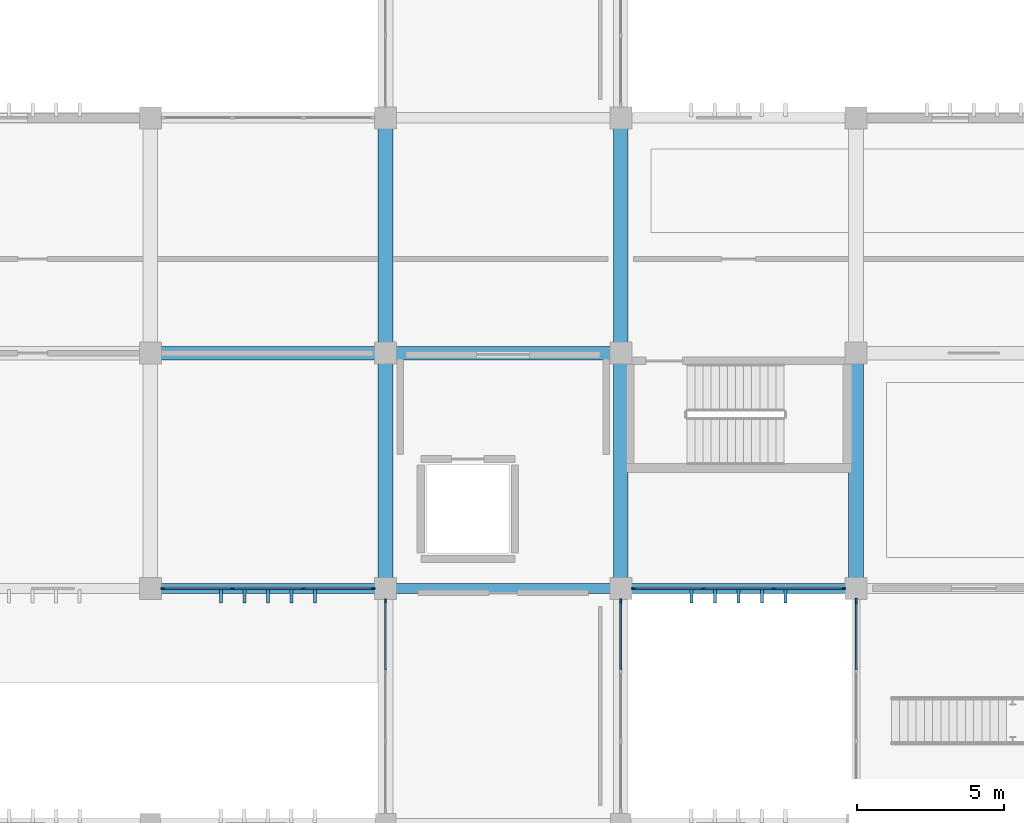
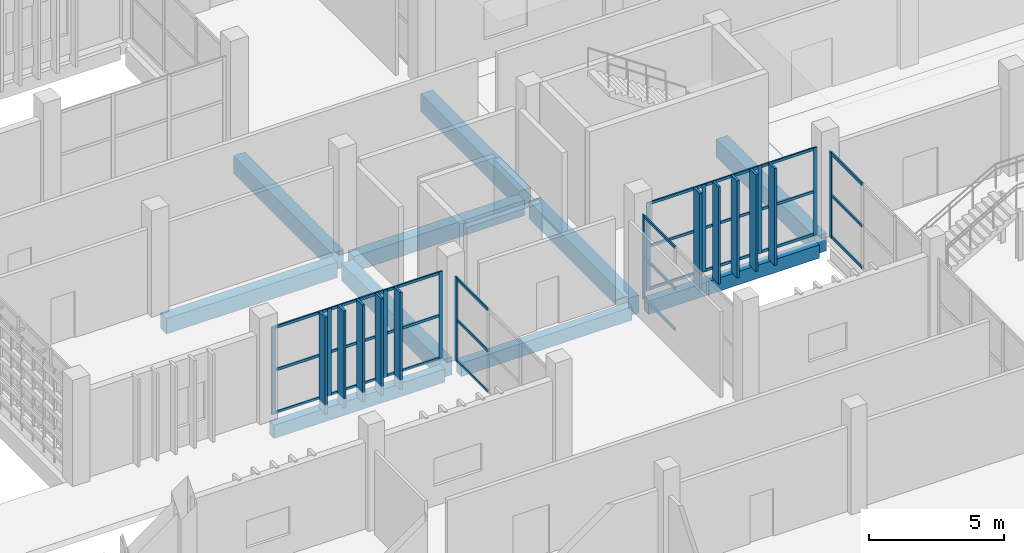
# One storey, part 62 of 117: 48 members, 10 beams, 5 elements without a shape of their own.
"""IFC4 building model written with IfcOpenShell, lengths in metres."""

from ifc_helpers import new_model, si_unit, direction, frame, origin, origin_2d, place, context, subcontext, project, spatial, rectangle, extrude, material, layer, layer_set, material_profile, profile_set, type_object, element, aggregate, save


model = new_model("IFC4")

# Units and contexts
model_context = context("Model", 3, precision=1e-05, world=origin(), true_north=direction((0.0, 1.0)))
body_context = subcontext(model_context, "Body", "Model", "MODEL_VIEW")
ifc_project = project(units=[si_unit("LENGTHUNIT", "METRE"), si_unit("AREAUNIT", "SQUARE_METRE"), si_unit("VOLUMEUNIT", "CUBIC_METRE"), si_unit("PLANEANGLEUNIT", "RADIAN"), si_unit("MASSUNIT", "GRAM", prefix="KILO")], contexts=[model_context])

# Site, building, storey
site_placement = place(None, origin())
site = spatial("IfcSite", under=ifc_project, at=site_placement, CompositionType="ELEMENT")
building_placement = place(site_placement, origin())
building = spatial("IfcBuilding", under=site, at=building_placement, Name="Jelvoka-Kovrelna Polytechnic", CompositionType="ELEMENT")
storey_placement = place(building_placement, origin())
storey = spatial("IfcBuildingStorey", under=building, at=storey_placement, Name="L01", CompositionType="ELEMENT", Elevation=0.0)

# Beams
ifc_material_1 = material(Name="Concrete C40/50", Category="concrete")
ifc_material_profile_1 = material_profile(ifc_material_1, rectangle(XDim=0.449951171875, YDim=0.699951171875, at=origin_2d()), Name="RC 450x700")
ifc_profile_set_1 = profile_set([ifc_material_profile_1], Name="Concrete C40/50")
beam_type_1 = type_object("IfcBeamType", Name="Beam_RC_450x700", PredefinedType="BEAM", material=ifc_profile_set_1)
for number, where, z_axis, x_axis, name in (
    (1, (136.35498046875, 40.0, -0.7548828125), (1.0, 0.0, 0.0), (0.0, 1.0, 0.0), "L01 beam 0407"),
    (2, (144.35498046875, 40.0, -0.7548828125), (1.0, 0.0, 0.0), (0.0, 1.0, 0.0), "L01 beam 0408"),
):
    element("IfcBeam", number, at=place(storey_placement, frame(where, z_axis=z_axis, x_axis=x_axis)), inside=storey, type_object=beam_type_1, Name=name, PredefinedType="BEAM", context=body_context, shape_type="SweptSolid", body=[
        extrude(rectangle(XDim=0.449951171875, YDim=0.699951171875, at=origin_2d()), origin(), (0.0, 0.0, 1.0), 7.2900390625),
    ])
ifc_material_2 = material(Name="Concrete C40/50", Category="concrete")
ifc_material_profile_2 = material_profile(ifc_material_2, rectangle(XDim=0.5, YDim=0.800048828125, at=origin_2d()), Name="RC 500x800")
ifc_profile_set_2 = profile_set([ifc_material_profile_2], Name="Concrete C40/50")
beam_type_2 = type_object("IfcBeamType", Name="Beam_RC_500x800", PredefinedType="BEAM", material=ifc_profile_set_2)
for number, where, z_axis, x_axis, name in (
    (3, (144.0, 32.35498046875, -0.804931640625), (0.0, 1.0, 0.0), (-1.0, 0.0, 0.0), "L01 beam 0427"),
    (4, (144.0, 40.35498046875, -0.804931640625), (0.0, 1.0, 0.0), (-1.0, 0.0, 0.0), "L01 beam 0428"),
    (5, (152.0, 32.35498046875, -0.804931640625), (0.0, 1.0, 0.0), (-1.0, 0.0, 0.0), "L01 beam 0429"),
    (6, (152.0, 40.35498046875, -0.804931640625), (0.0, 1.0, 0.0), (-1.0, 0.0, 0.0), "L01 beam 0430"),
    (7, (160.0, 32.35498046875, -0.804931640625), (0.0, 1.0, 0.0), (-1.0, 0.0, 0.0), "L01 beam 0431"),
):
    element("IfcBeam", number, at=place(storey_placement, frame(where, z_axis=z_axis, x_axis=x_axis)), inside=storey, type_object=beam_type_2, Name=name, PredefinedType="BEAM", context=body_context, shape_type="SweptSolid", body=[
        extrude(rectangle(XDim=0.5, YDim=0.800048828125, at=origin_2d()), origin(), (0.0, 0.0, 1.0), 7.2900390625),
    ])

# Members
ifc_material_3 = material(Name="Precast concrete C40/50", Category="concrete")
ifc_material_profile_3 = material_profile(ifc_material_3, rectangle(XDim=0.10009765625, YDim=0.449951171875, at=origin_2d()), Name="PC 100x450")
ifc_profile_set_3 = profile_set([ifc_material_profile_3], Name="Precast concrete C40/50")
member_type_1 = type_object("IfcMemberType", Name="Louvre_Fin_100x450", PredefinedType="USERDEFINED", material=ifc_profile_set_3)
for number, where, z_axis, x_axis, name in (
    (8, (138.39990234375, 31.735107421875, -0.419921875), (0.0, 0.0, 1.0), (1.0, 0.0, 0.0), "L01 B2E south vertical solar louvre fin 0876"),
    (9, (139.199951171875, 31.735107421875, -0.419921875), (0.0, 0.0, 1.0), (1.0, 0.0, 0.0), "L01 B2E south vertical solar louvre fin 0877"),
    (10, (140.0, 31.735107421875, -0.419921875), (0.0, 0.0, 1.0), (1.0, 0.0, 0.0), "L01 B2E south vertical solar louvre fin 0878"),
    (11, (140.800048828125, 31.735107421875, -0.419921875), (0.0, 0.0, 1.0), (1.0, 0.0, 0.0), "L01 B2E south vertical solar louvre fin 0879"),
    (12, (141.60009765625, 31.735107421875, -0.419921875), (0.0, 0.0, 1.0), (1.0, 0.0, 0.0), "L01 B2E south vertical solar louvre fin 0880"),
    (13, (154.39990234375, 31.735107421875, -0.419921875), (0.0, 0.0, 1.0), (1.0, 0.0, 0.0), "L01 B2E south vertical solar louvre fin 0881"),
    (14, (155.199951171875, 31.735107421875, -0.419921875), (0.0, 0.0, 1.0), (1.0, 0.0, 0.0), "L01 B2E south vertical solar louvre fin 0882"),
    (15, (156.0, 31.735107421875, -0.419921875), (0.0, 0.0, 1.0), (1.0, 0.0, 0.0), "L01 B2E south vertical solar louvre fin 0883"),
    (16, (156.800048828125, 31.735107421875, -0.419921875), (0.0, 0.0, 1.0), (1.0, 0.0, 0.0), "L01 B2E south vertical solar louvre fin 0884"),
    (17, (157.60009765625, 31.735107421875, -0.419921875), (0.0, 0.0, 1.0), (1.0, 0.0, 0.0), "L01 B2E south vertical solar louvre fin 0885"),
):
    element("IfcMember", number, at=place(storey_placement, frame(where, z_axis=z_axis, x_axis=x_axis)), inside=storey, type_object=member_type_1, Name=name, ObjectType="SUNSHADE", PredefinedType="USERDEFINED", context=body_context, shape_type="SweptSolid", body=[
        extrude(rectangle(XDim=0.10009765625, YDim=0.449951171875, at=origin_2d()), origin(), (0.0, 0.0, 1.0), 4.3798828125),
    ])

# Curtain wall, members
ifc_material_4 = material(Name="Anodised aluminium 6063-T6", Category="aluminium")
ifc_layer_1 = layer(ifc_material_4, 0.159912109375)
ifc_layer_set_1 = layer_set([ifc_layer_1], Name="Anodised aluminium 6063-T6")
curtain_wall_type_1 = type_object("IfcCurtainWallType", Name="CW_Recessed_A", PredefinedType="NOTDEFINED", material=ifc_layer_set_1)
curtain_wall_1_placement = place(storey_placement, origin())
curtain_wall_1 = element("IfcCurtainWall", 18, at=curtain_wall_1_placement, inside=storey, type_object=curtain_wall_type_1, Name="L01 glazed curtain wall 038", PredefinedType="NOTDEFINED")
ifc_material_5 = material(Name="Anodised aluminium 6063-T6", Category="aluminium")
ifc_material_profile_4 = material_profile(ifc_material_5, rectangle(XDim=0.06005859375, YDim=0.159912109375, at=origin_2d()), Name="ALU 60x160")
ifc_profile_set_4 = profile_set([ifc_material_profile_4], Name="Anodised aluminium 6063-T6")
member_type_2 = type_object("IfcMemberType", Name="Mullion_M-01", PredefinedType="MULLION", material=ifc_profile_set_4)
member_1_placement = place(storey_placement, frame((143.570068359375, 32.0, -0.02490234375), z_axis=(0.0, 0.0, 1.0), x_axis=(0.0, -1.0, 0.0)))
member_1 = element("IfcMember", 19, at=member_1_placement, type_object=member_type_2, Name="CW-01 mullion 1", PredefinedType="MULLION", context=body_context, shape_type="SweptSolid", body=[
    extrude(rectangle(XDim=0.06005859375, YDim=0.159912109375, at=origin_2d()), origin(), (0.0, 0.0, 1.0), 3.9599609375),
])
member_2_placement = place(storey_placement, frame((141.199951171875, 32.0, -0.02490234375), z_axis=(0.0, 0.0, 1.0), x_axis=(0.0, -1.0, 0.0)))
member_2 = element("IfcMember", 20, at=member_2_placement, type_object=member_type_2, Name="CW-01 mullion 2", PredefinedType="MULLION", context=body_context, shape_type="SweptSolid", body=[
    extrude(rectangle(XDim=0.06005859375, YDim=0.159912109375, at=origin_2d()), origin(), (0.0, 0.0, 1.0), 3.9599609375),
])
member_3_placement = place(storey_placement, frame((138.800048828125, 32.0, -0.02490234375), z_axis=(0.0, 0.0, 1.0), x_axis=(0.0, -1.0, 0.0)))
member_3 = element("IfcMember", 21, at=member_3_placement, type_object=member_type_2, Name="CW-01 mullion 3", PredefinedType="MULLION", context=body_context, shape_type="SweptSolid", body=[
    extrude(rectangle(XDim=0.06005859375, YDim=0.159912109375, at=origin_2d()), origin(), (0.0, 0.0, 1.0), 3.9599609375),
])
member_4_placement = place(storey_placement, frame((136.429931640625, 32.0, -0.02490234375), z_axis=(0.0, 0.0, 1.0), x_axis=(0.0, -1.0, 0.0)))
member_4 = element("IfcMember", 22, at=member_4_placement, type_object=member_type_2, Name="CW-01 mullion 4", PredefinedType="MULLION", context=body_context, shape_type="SweptSolid", body=[
    extrude(rectangle(XDim=0.06005859375, YDim=0.159912109375, at=origin_2d()), origin(), (0.0, 0.0, 1.0), 3.9599609375),
])

curtain_wall_2_placement = place(storey_placement, origin())
curtain_wall_2 = element("IfcCurtainWall", 23, at=curtain_wall_2_placement, inside=storey, type_object=curtain_wall_type_1, Name="L01 glazed curtain wall 040", PredefinedType="NOTDEFINED")
member_5_placement = place(storey_placement, frame((159.570068359375, 32.0, -0.02490234375), z_axis=(0.0, 0.0, 1.0), x_axis=(0.0, -1.0, 0.0)))
member_5 = element("IfcMember", 24, at=member_5_placement, type_object=member_type_2, Name="CW-01 mullion 1", PredefinedType="MULLION", context=body_context, shape_type="SweptSolid", body=[
    extrude(rectangle(XDim=0.06005859375, YDim=0.159912109375, at=origin_2d()), origin(), (0.0, 0.0, 1.0), 3.9599609375),
])
member_6_placement = place(storey_placement, frame((157.199951171875, 32.0, -0.02490234375), z_axis=(0.0, 0.0, 1.0), x_axis=(0.0, -1.0, 0.0)))
member_6 = element("IfcMember", 25, at=member_6_placement, type_object=member_type_2, Name="CW-01 mullion 2", PredefinedType="MULLION", context=body_context, shape_type="SweptSolid", body=[
    extrude(rectangle(XDim=0.06005859375, YDim=0.159912109375, at=origin_2d()), origin(), (0.0, 0.0, 1.0), 3.9599609375),
])
member_7_placement = place(storey_placement, frame((154.800048828125, 32.0, -0.02490234375), z_axis=(0.0, 0.0, 1.0), x_axis=(0.0, -1.0, 0.0)))
member_7 = element("IfcMember", 26, at=member_7_placement, type_object=member_type_2, Name="CW-01 mullion 3", PredefinedType="MULLION", context=body_context, shape_type="SweptSolid", body=[
    extrude(rectangle(XDim=0.06005859375, YDim=0.159912109375, at=origin_2d()), origin(), (0.0, 0.0, 1.0), 3.9599609375),
])
member_8_placement = place(storey_placement, frame((152.429931640625, 32.0, -0.02490234375), z_axis=(0.0, 0.0, 1.0), x_axis=(0.0, -1.0, 0.0)))
member_8 = element("IfcMember", 27, at=member_8_placement, type_object=member_type_2, Name="CW-01 mullion 4", PredefinedType="MULLION", context=body_context, shape_type="SweptSolid", body=[
    extrude(rectangle(XDim=0.06005859375, YDim=0.159912109375, at=origin_2d()), origin(), (0.0, 0.0, 1.0), 3.9599609375),
])

# Curtain wall, member
ifc_material_6 = material(Name="Anodised aluminium 6063-T6", Category="aluminium")
ifc_layer_2 = layer(ifc_material_6, 0.159912109375)
ifc_layer_set_2 = layer_set([ifc_layer_2], Name="Anodised aluminium 6063-T6")
curtain_wall_type_2 = type_object("IfcCurtainWallType", Name="CW_LinkBridge", PredefinedType="NOTDEFINED", material=ifc_layer_set_2)
curtain_wall_3_placement = place(storey_placement, origin())
curtain_wall_3 = element("IfcCurtainWall", 28, at=curtain_wall_3_placement, inside=storey, type_object=curtain_wall_type_2, Name="L01 glazed curtain wall 106", PredefinedType="NOTDEFINED")
ifc_material_7 = material(Name="Anodised aluminium 6063-T6", Category="aluminium")
ifc_material_profile_5 = material_profile(ifc_material_7, rectangle(XDim=0.06005859375, YDim=0.159912109375, at=origin_2d()), Name="ALU 60x160")
ifc_profile_set_5 = profile_set([ifc_material_profile_5], Name="Anodised aluminium 6063-T6")
member_type_3 = type_object("IfcMemberType", Name="Mullion_M-04", PredefinedType="MULLION", material=ifc_profile_set_5)
member_9_placement = place(storey_placement, frame((144.0, 31.570068359375, -0.02490234375), z_axis=(0.0, 0.0, 1.0), x_axis=(-1.0, 0.0, 0.0)))
member_9 = element("IfcMember", 29, at=member_9_placement, type_object=member_type_3, Name="CW-04 mullion 4", PredefinedType="MULLION", context=body_context, shape_type="SweptSolid", body=[
    extrude(rectangle(XDim=0.06005859375, YDim=0.159912109375, at=origin_2d()), origin(), (0.0, 0.0, 1.0), 3.81005859375),
])

curtain_wall_4_placement = place(storey_placement, origin())
curtain_wall_4 = element("IfcCurtainWall", 30, at=curtain_wall_4_placement, inside=storey, type_object=curtain_wall_type_2, Name="L01 glazed curtain wall 107", PredefinedType="NOTDEFINED")
member_10_placement = place(storey_placement, frame((152.0, 31.570068359375, -0.02490234375), z_axis=(0.0, 0.0, 1.0), x_axis=(1.0, 0.0, 0.0)))
member_10 = element("IfcMember", 31, at=member_10_placement, type_object=member_type_3, Name="CW-04 mullion 1", PredefinedType="MULLION", context=body_context, shape_type="SweptSolid", body=[
    extrude(rectangle(XDim=0.06005859375, YDim=0.159912109375, at=origin_2d()), origin(), (0.0, 0.0, 1.0), 3.81005859375),
])

ifc_material_8 = material(Name="Anodised aluminium 6063-T6", Category="aluminium")
ifc_layer_3 = layer(ifc_material_8, 0.179931640625)
ifc_layer_set_3 = layer_set([ifc_layer_3], Name="Anodised aluminium 6063-T6")
curtain_wall_type_3 = type_object("IfcCurtainWallType", Name="CW_Pavilion", PredefinedType="NOTDEFINED", material=ifc_layer_set_3)
curtain_wall_5_placement = place(storey_placement, origin())
curtain_wall_5 = element("IfcCurtainWall", 32, at=curtain_wall_5_placement, inside=storey, type_object=curtain_wall_type_3, Name="L01 glazed curtain wall 274", PredefinedType="NOTDEFINED")
ifc_material_9 = material(Name="Anodised aluminium 6063-T6", Category="aluminium")
ifc_material_profile_6 = material_profile(ifc_material_9, rectangle(XDim=0.06494140625, YDim=0.179931640625, at=origin_2d()), Name="ALU 65x180")
ifc_profile_set_6 = profile_set([ifc_material_profile_6], Name="Anodised aluminium 6063-T6")
member_type_4 = type_object("IfcMemberType", Name="Mullion_M-05", PredefinedType="MULLION", material=ifc_profile_set_6)
member_11_placement = place(storey_placement, frame((160.0, 31.5673828125, -0.02490234375), z_axis=(0.0, 0.0, 1.0), x_axis=(-1.0, 0.0, 0.0)))
member_11 = element("IfcMember", 33, at=member_11_placement, type_object=member_type_4, Name="CW-05 mullion 4", PredefinedType="MULLION", context=body_context, shape_type="SweptSolid", body=[
    extrude(rectangle(XDim=0.06494140625, YDim=0.179931640625, at=origin_2d()), origin(), (0.0, 0.0, 1.0), 3.862060546875),
])

# Beams
ifc_material_10 = material(Name="Concrete C40/50", Category="concrete")
ifc_material_profile_7 = material_profile(ifc_material_10, rectangle(XDim=0.35009765625, YDim=0.60009765625, at=origin_2d()), Name="RC 350x600")
ifc_profile_set_7 = profile_set([ifc_material_profile_7], Name="Concrete C40/50")
beam_type_3 = type_object("IfcBeamType", Name="Spandrel_RC_350x600", PredefinedType="SPANDREL", material=ifc_profile_set_7)
for number, where, z_axis, x_axis, name in (
    (34, (136.35498046875, 32.0, -0.705078125), (1.0, 0.0, 0.0), (0.0, 1.0, 0.0), "L01 beam 0403"),
    (35, (144.35498046875, 32.0, -0.705078125), (1.0, 0.0, 0.0), (0.0, 1.0, 0.0), "L01 beam 0404"),
    (36, (152.35498046875, 32.0, -0.705078125), (1.0, 0.0, 0.0), (0.0, 1.0, 0.0), "L01 beam 0405"),
):
    element("IfcBeam", number, at=place(storey_placement, frame(where, z_axis=z_axis, x_axis=x_axis)), inside=storey, type_object=beam_type_3, Name=name, PredefinedType="SPANDREL", context=body_context, shape_type="SweptSolid", body=[
        extrude(rectangle(XDim=0.35009765625, YDim=0.60009765625, at=origin_2d()), origin(), (0.0, 0.0, 1.0), 7.2900390625),
    ])

# Member
ifc_material_11 = material(Name="Anodised aluminium 6063-T6", Category="aluminium")
ifc_material_profile_8 = material_profile(ifc_material_11, rectangle(XDim=0.06005859375, YDim=0.1201171875, at=origin_2d()), Name="ALU 60x120")
ifc_profile_set_8 = profile_set([ifc_material_profile_8], Name="Anodised aluminium 6063-T6")
member_type_5 = type_object("IfcMemberType", Name="Transom_T-01", PredefinedType="USERDEFINED", material=ifc_profile_set_8)
member_12_placement = place(storey_placement, frame((143.5400390625, 32.0, 0.030029296875), z_axis=(-1.0, 0.0, 0.0), x_axis=(0.0, -1.0, 0.0)))
member_12 = element("IfcMember", 37, at=member_12_placement, type_object=member_type_5, Name="CW-01 transom 1.1", ObjectType="TRANSOM", PredefinedType="USERDEFINED", context=body_context, shape_type="SweptSolid", body=[
    extrude(rectangle(XDim=0.06005859375, YDim=0.1201171875, at=origin_2d()), origin(), (0.0, 0.0, 1.0), 2.31005859375),
])

member_13_placement = place(storey_placement, frame((143.5400390625, 32.0, 1.955078125), z_axis=(-1.0, 0.0, 0.0), x_axis=(0.0, -1.0, 0.0)))
member_13 = element("IfcMember", 38, at=member_13_placement, type_object=member_type_5, Name="CW-01 transom 1.2", ObjectType="TRANSOM", PredefinedType="USERDEFINED", context=body_context, shape_type="SweptSolid", body=[
    extrude(rectangle(XDim=0.06005859375, YDim=0.1201171875, at=origin_2d()), origin(), (0.0, 0.0, 1.0), 2.31005859375),
])

member_14_placement = place(storey_placement, frame((143.5400390625, 32.0, 3.8798828125), z_axis=(-1.0, 0.0, 0.0), x_axis=(0.0, -1.0, 0.0)))
member_14 = element("IfcMember", 39, at=member_14_placement, type_object=member_type_5, Name="CW-01 transom 1.3", ObjectType="TRANSOM", PredefinedType="USERDEFINED", context=body_context, shape_type="SweptSolid", body=[
    extrude(rectangle(XDim=0.06005859375, YDim=0.1201171875, at=origin_2d()), origin(), (0.0, 0.0, 1.0), 2.31005859375),
])

member_15_placement = place(storey_placement, frame((141.169921875, 32.0, 0.030029296875), z_axis=(-1.0, 0.0, 0.0), x_axis=(0.0, -1.0, 0.0)))
member_15 = element("IfcMember", 40, at=member_15_placement, type_object=member_type_5, Name="CW-01 transom 2.1", ObjectType="TRANSOM", PredefinedType="USERDEFINED", context=body_context, shape_type="SweptSolid", body=[
    extrude(rectangle(XDim=0.06005859375, YDim=0.1201171875, at=origin_2d()), origin(), (0.0, 0.0, 1.0), 2.33984375),
])

member_16_placement = place(storey_placement, frame((141.169921875, 32.0, 1.955078125), z_axis=(-1.0, 0.0, 0.0), x_axis=(0.0, -1.0, 0.0)))
member_16 = element("IfcMember", 41, at=member_16_placement, type_object=member_type_5, Name="CW-01 transom 2.2", ObjectType="TRANSOM", PredefinedType="USERDEFINED", context=body_context, shape_type="SweptSolid", body=[
    extrude(rectangle(XDim=0.06005859375, YDim=0.1201171875, at=origin_2d()), origin(), (0.0, 0.0, 1.0), 2.33984375),
])

member_17_placement = place(storey_placement, frame((141.169921875, 32.0, 3.8798828125), z_axis=(-1.0, 0.0, 0.0), x_axis=(0.0, -1.0, 0.0)))
member_17 = element("IfcMember", 42, at=member_17_placement, type_object=member_type_5, Name="CW-01 transom 2.3", ObjectType="TRANSOM", PredefinedType="USERDEFINED", context=body_context, shape_type="SweptSolid", body=[
    extrude(rectangle(XDim=0.06005859375, YDim=0.1201171875, at=origin_2d()), origin(), (0.0, 0.0, 1.0), 2.33984375),
])

member_18_placement = place(storey_placement, frame((138.77001953125, 32.0, 0.030029296875), z_axis=(-1.0, 0.0, 0.0), x_axis=(0.0, -1.0, 0.0)))
member_18 = element("IfcMember", 43, at=member_18_placement, type_object=member_type_5, Name="CW-01 transom 3.1", ObjectType="TRANSOM", PredefinedType="USERDEFINED", context=body_context, shape_type="SweptSolid", body=[
    extrude(rectangle(XDim=0.06005859375, YDim=0.1201171875, at=origin_2d()), origin(), (0.0, 0.0, 1.0), 2.31005859375),
])

member_19_placement = place(storey_placement, frame((138.77001953125, 32.0, 1.955078125), z_axis=(-1.0, 0.0, 0.0), x_axis=(0.0, -1.0, 0.0)))
member_19 = element("IfcMember", 44, at=member_19_placement, type_object=member_type_5, Name="CW-01 transom 3.2", ObjectType="TRANSOM", PredefinedType="USERDEFINED", context=body_context, shape_type="SweptSolid", body=[
    extrude(rectangle(XDim=0.06005859375, YDim=0.1201171875, at=origin_2d()), origin(), (0.0, 0.0, 1.0), 2.31005859375),
])

member_20_placement = place(storey_placement, frame((138.77001953125, 32.0, 3.8798828125), z_axis=(-1.0, 0.0, 0.0), x_axis=(0.0, -1.0, 0.0)))
member_20 = element("IfcMember", 45, at=member_20_placement, type_object=member_type_5, Name="CW-01 transom 3.3", ObjectType="TRANSOM", PredefinedType="USERDEFINED", context=body_context, shape_type="SweptSolid", body=[
    extrude(rectangle(XDim=0.06005859375, YDim=0.1201171875, at=origin_2d()), origin(), (0.0, 0.0, 1.0), 2.31005859375),
])

aggregate(curtain_wall_1, [member_1, member_2, member_3, member_4, member_12, member_13, member_14, member_15, member_16, member_17, member_18, member_19, member_20])

member_21_placement = place(storey_placement, frame((159.5400390625, 32.0, 0.030029296875), z_axis=(-1.0, 0.0, 0.0), x_axis=(0.0, -1.0, 0.0)))
member_21 = element("IfcMember", 46, at=member_21_placement, type_object=member_type_5, Name="CW-01 transom 1.1", ObjectType="TRANSOM", PredefinedType="USERDEFINED", context=body_context, shape_type="SweptSolid", body=[
    extrude(rectangle(XDim=0.06005859375, YDim=0.1201171875, at=origin_2d()), origin(), (0.0, 0.0, 1.0), 2.31005859375),
])

member_22_placement = place(storey_placement, frame((159.5400390625, 32.0, 1.955078125), z_axis=(-1.0, 0.0, 0.0), x_axis=(0.0, -1.0, 0.0)))
member_22 = element("IfcMember", 47, at=member_22_placement, type_object=member_type_5, Name="CW-01 transom 1.2", ObjectType="TRANSOM", PredefinedType="USERDEFINED", context=body_context, shape_type="SweptSolid", body=[
    extrude(rectangle(XDim=0.06005859375, YDim=0.1201171875, at=origin_2d()), origin(), (0.0, 0.0, 1.0), 2.31005859375),
])

member_23_placement = place(storey_placement, frame((159.5400390625, 32.0, 3.8798828125), z_axis=(-1.0, 0.0, 0.0), x_axis=(0.0, -1.0, 0.0)))
member_23 = element("IfcMember", 48, at=member_23_placement, type_object=member_type_5, Name="CW-01 transom 1.3", ObjectType="TRANSOM", PredefinedType="USERDEFINED", context=body_context, shape_type="SweptSolid", body=[
    extrude(rectangle(XDim=0.06005859375, YDim=0.1201171875, at=origin_2d()), origin(), (0.0, 0.0, 1.0), 2.31005859375),
])

member_24_placement = place(storey_placement, frame((157.169921875, 32.0, 0.030029296875), z_axis=(-1.0, 0.0, 0.0), x_axis=(0.0, -1.0, 0.0)))
member_24 = element("IfcMember", 49, at=member_24_placement, type_object=member_type_5, Name="CW-01 transom 2.1", ObjectType="TRANSOM", PredefinedType="USERDEFINED", context=body_context, shape_type="SweptSolid", body=[
    extrude(rectangle(XDim=0.06005859375, YDim=0.1201171875, at=origin_2d()), origin(), (0.0, 0.0, 1.0), 2.33984375),
])

member_25_placement = place(storey_placement, frame((157.169921875, 32.0, 1.955078125), z_axis=(-1.0, 0.0, 0.0), x_axis=(0.0, -1.0, 0.0)))
member_25 = element("IfcMember", 50, at=member_25_placement, type_object=member_type_5, Name="CW-01 transom 2.2", ObjectType="TRANSOM", PredefinedType="USERDEFINED", context=body_context, shape_type="SweptSolid", body=[
    extrude(rectangle(XDim=0.06005859375, YDim=0.1201171875, at=origin_2d()), origin(), (0.0, 0.0, 1.0), 2.33984375),
])

member_26_placement = place(storey_placement, frame((157.169921875, 32.0, 3.8798828125), z_axis=(-1.0, 0.0, 0.0), x_axis=(0.0, -1.0, 0.0)))
member_26 = element("IfcMember", 51, at=member_26_placement, type_object=member_type_5, Name="CW-01 transom 2.3", ObjectType="TRANSOM", PredefinedType="USERDEFINED", context=body_context, shape_type="SweptSolid", body=[
    extrude(rectangle(XDim=0.06005859375, YDim=0.1201171875, at=origin_2d()), origin(), (0.0, 0.0, 1.0), 2.33984375),
])

member_27_placement = place(storey_placement, frame((154.77001953125, 32.0, 0.030029296875), z_axis=(-1.0, 0.0, 0.0), x_axis=(0.0, -1.0, 0.0)))
member_27 = element("IfcMember", 52, at=member_27_placement, type_object=member_type_5, Name="CW-01 transom 3.1", ObjectType="TRANSOM", PredefinedType="USERDEFINED", context=body_context, shape_type="SweptSolid", body=[
    extrude(rectangle(XDim=0.06005859375, YDim=0.1201171875, at=origin_2d()), origin(), (0.0, 0.0, 1.0), 2.31005859375),
])

member_28_placement = place(storey_placement, frame((154.77001953125, 32.0, 1.955078125), z_axis=(-1.0, 0.0, 0.0), x_axis=(0.0, -1.0, 0.0)))
member_28 = element("IfcMember", 53, at=member_28_placement, type_object=member_type_5, Name="CW-01 transom 3.2", ObjectType="TRANSOM", PredefinedType="USERDEFINED", context=body_context, shape_type="SweptSolid", body=[
    extrude(rectangle(XDim=0.06005859375, YDim=0.1201171875, at=origin_2d()), origin(), (0.0, 0.0, 1.0), 2.31005859375),
])

member_29_placement = place(storey_placement, frame((154.77001953125, 32.0, 3.8798828125), z_axis=(-1.0, 0.0, 0.0), x_axis=(0.0, -1.0, 0.0)))
member_29 = element("IfcMember", 54, at=member_29_placement, type_object=member_type_5, Name="CW-01 transom 3.3", ObjectType="TRANSOM", PredefinedType="USERDEFINED", context=body_context, shape_type="SweptSolid", body=[
    extrude(rectangle(XDim=0.06005859375, YDim=0.1201171875, at=origin_2d()), origin(), (0.0, 0.0, 1.0), 2.31005859375),
])

aggregate(curtain_wall_2, [member_5, member_6, member_7, member_8, member_21, member_22, member_23, member_24, member_25, member_26, member_27, member_28, member_29])

ifc_material_12 = material(Name="Anodised aluminium 6063-T6", Category="aluminium")
ifc_material_profile_9 = material_profile(ifc_material_12, rectangle(XDim=0.06005859375, YDim=0.1201171875, at=origin_2d()), Name="ALU 60x120")
ifc_profile_set_9 = profile_set([ifc_material_profile_9], Name="Anodised aluminium 6063-T6")
member_type_6 = type_object("IfcMemberType", Name="Transom_T-04", PredefinedType="USERDEFINED", material=ifc_profile_set_9)
member_30_placement = place(storey_placement, frame((144.0, 29.22998046875, 0.030029296875), z_axis=(0.0, 1.0, 0.0), x_axis=(-1.0, 0.0, 0.0)))
member_30 = element("IfcMember", 55, at=member_30_placement, type_object=member_type_6, Name="CW-04 transom 3.1", ObjectType="TRANSOM", PredefinedType="USERDEFINED", context=body_context, shape_type="SweptSolid", body=[
    extrude(rectangle(XDim=0.06005859375, YDim=0.1201171875, at=origin_2d()), origin(), (0.0, 0.0, 1.0), 2.31005859375),
])

member_31_placement = place(storey_placement, frame((144.0, 29.22998046875, 1.8798828125), z_axis=(0.0, 1.0, 0.0), x_axis=(-1.0, 0.0, 0.0)))
member_31 = element("IfcMember", 56, at=member_31_placement, type_object=member_type_6, Name="CW-04 transom 3.2", ObjectType="TRANSOM", PredefinedType="USERDEFINED", context=body_context, shape_type="SweptSolid", body=[
    extrude(rectangle(XDim=0.06005859375, YDim=0.1201171875, at=origin_2d()), origin(), (0.0, 0.0, 1.0), 2.31005859375),
])

member_32_placement = place(storey_placement, frame((144.0, 29.22998046875, 3.72998046875), z_axis=(0.0, 1.0, 0.0), x_axis=(-1.0, 0.0, 0.0)))
member_32 = element("IfcMember", 57, at=member_32_placement, type_object=member_type_6, Name="CW-04 transom 3.3", ObjectType="TRANSOM", PredefinedType="USERDEFINED", context=body_context, shape_type="SweptSolid", body=[
    extrude(rectangle(XDim=0.06005859375, YDim=0.1201171875, at=origin_2d()), origin(), (0.0, 0.0, 1.0), 2.31005859375),
])

aggregate(curtain_wall_3, [member_9, member_30, member_31, member_32])

member_33_placement = place(storey_placement, frame((152.0, 31.5400390625, 0.030029296875), z_axis=(0.0, -1.0, 0.0), x_axis=(1.0, 0.0, 0.0)))
member_33 = element("IfcMember", 58, at=member_33_placement, type_object=member_type_6, Name="CW-04 transom 1.1", ObjectType="TRANSOM", PredefinedType="USERDEFINED", context=body_context, shape_type="SweptSolid", body=[
    extrude(rectangle(XDim=0.06005859375, YDim=0.1201171875, at=origin_2d()), origin(), (0.0, 0.0, 1.0), 2.31005859375),
])

member_34_placement = place(storey_placement, frame((152.0, 31.5400390625, 1.8798828125), z_axis=(0.0, -1.0, 0.0), x_axis=(1.0, 0.0, 0.0)))
member_34 = element("IfcMember", 59, at=member_34_placement, type_object=member_type_6, Name="CW-04 transom 1.2", ObjectType="TRANSOM", PredefinedType="USERDEFINED", context=body_context, shape_type="SweptSolid", body=[
    extrude(rectangle(XDim=0.06005859375, YDim=0.1201171875, at=origin_2d()), origin(), (0.0, 0.0, 1.0), 2.31005859375),
])

member_35_placement = place(storey_placement, frame((152.0, 31.5400390625, 3.72998046875), z_axis=(0.0, -1.0, 0.0), x_axis=(1.0, 0.0, 0.0)))
member_35 = element("IfcMember", 60, at=member_35_placement, type_object=member_type_6, Name="CW-04 transom 1.3", ObjectType="TRANSOM", PredefinedType="USERDEFINED", context=body_context, shape_type="SweptSolid", body=[
    extrude(rectangle(XDim=0.06005859375, YDim=0.1201171875, at=origin_2d()), origin(), (0.0, 0.0, 1.0), 2.31005859375),
])

aggregate(curtain_wall_4, [member_10, member_33, member_34, member_35])

ifc_material_13 = material(Name="Anodised aluminium 6063-T6", Category="aluminium")
ifc_material_profile_10 = material_profile(ifc_material_13, rectangle(XDim=0.06494140625, YDim=0.135009765625, at=origin_2d()), Name="ALU 65x135")
ifc_profile_set_10 = profile_set([ifc_material_profile_10], Name="Anodised aluminium 6063-T6")
member_type_7 = type_object("IfcMemberType", Name="Transom_T-05", PredefinedType="USERDEFINED", material=ifc_profile_set_10)
member_36_placement = place(storey_placement, frame((160.0, 29.232421875, 0.032470703125), z_axis=(0.0, 1.0, 0.0), x_axis=(-1.0, 0.0, 0.0)))
member_36 = element("IfcMember", 61, at=member_36_placement, type_object=member_type_7, Name="CW-05 transom 3.1", ObjectType="TRANSOM", PredefinedType="USERDEFINED", context=body_context, shape_type="SweptSolid", body=[
    extrude(rectangle(XDim=0.06494140625, YDim=0.135009765625, at=origin_2d()), origin(), (0.0, 0.0, 1.0), 2.302490234375),
])

member_37_placement = place(storey_placement, frame((160.0, 29.232421875, 1.906005859375), z_axis=(0.0, 1.0, 0.0), x_axis=(-1.0, 0.0, 0.0)))
member_37 = element("IfcMember", 62, at=member_37_placement, type_object=member_type_7, Name="CW-05 transom 3.2", ObjectType="TRANSOM", PredefinedType="USERDEFINED", context=body_context, shape_type="SweptSolid", body=[
    extrude(rectangle(XDim=0.06494140625, YDim=0.135009765625, at=origin_2d()), origin(), (0.0, 0.0, 1.0), 2.302490234375),
])

member_38_placement = place(storey_placement, frame((160.0, 29.232421875, 3.779541015625), z_axis=(0.0, 1.0, 0.0), x_axis=(-1.0, 0.0, 0.0)))
member_38 = element("IfcMember", 63, at=member_38_placement, type_object=member_type_7, Name="CW-05 transom 3.3", ObjectType="TRANSOM", PredefinedType="USERDEFINED", context=body_context, shape_type="SweptSolid", body=[
    extrude(rectangle(XDim=0.06494140625, YDim=0.135009765625, at=origin_2d()), origin(), (0.0, 0.0, 1.0), 2.302490234375),
])

aggregate(curtain_wall_5, [member_11, member_36, member_37, member_38])

save(model, "model.ifc")
